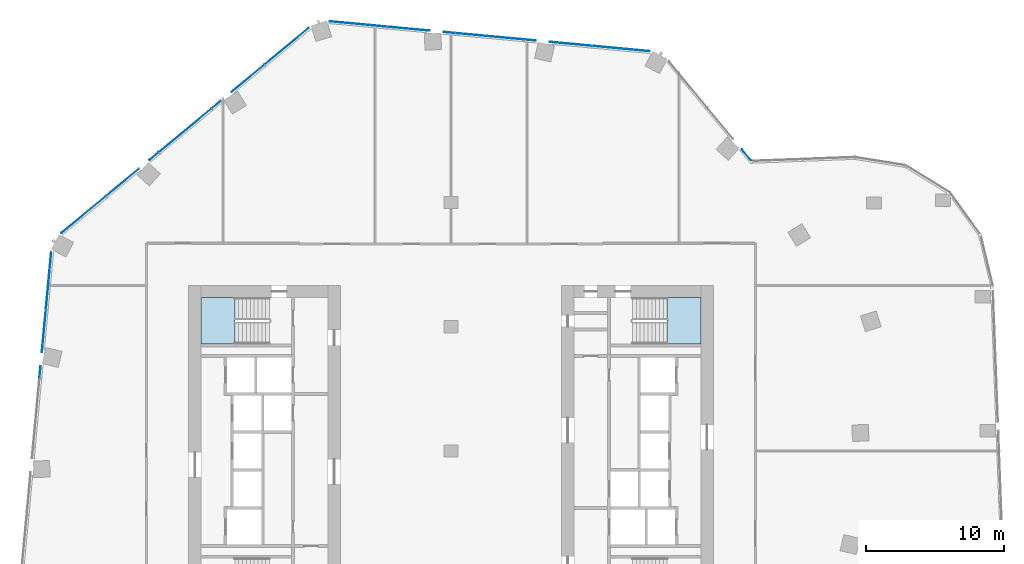
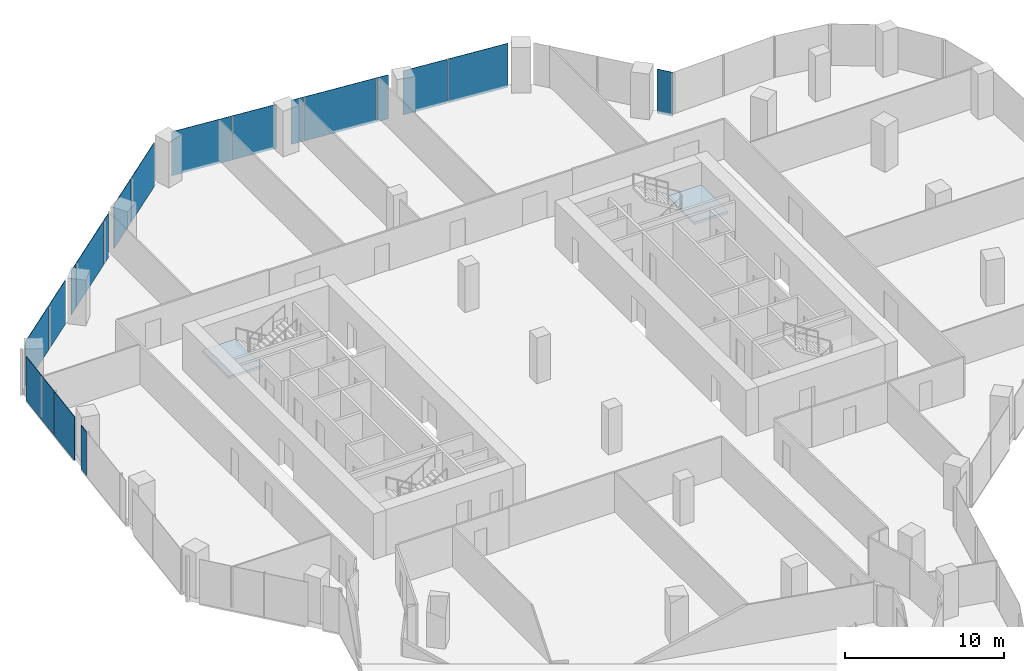
# One storey, part 16 of 24: 18 plates, 2 slabs, 6 elements without a shape of their own.
"""IFC4 building model written with IfcOpenShell, lengths in metres."""

from ifc_helpers import new_model, si_unit, direction, frame, origin, origin_2d, place, context, subcontext, project, spatial, polyline, rectangle, outline, extrude, material, layer, layer_set, type_object, element, aggregate, save


model = new_model("IFC4")

# Units and contexts
model_context = context("Model", 3, precision=1e-05, world=origin(), true_north=direction((0.0, 1.0)))
body_context = subcontext(model_context, "Body", "Model", "MODEL_VIEW")
ifc_project = project(units=[si_unit("LENGTHUNIT", "METRE"), si_unit("AREAUNIT", "SQUARE_METRE"), si_unit("VOLUMEUNIT", "CUBIC_METRE"), si_unit("PLANEANGLEUNIT", "RADIAN"), si_unit("MASSUNIT", "GRAM", prefix="KILO")], contexts=[model_context])

# Site, building, storey
site_placement = place(None, origin())
site = spatial("IfcSite", under=ifc_project, at=site_placement, CompositionType="ELEMENT")
building_placement = place(site_placement, origin())
building = spatial("IfcBuilding", under=site, at=building_placement, Name="Orlundy Tower", CompositionType="ELEMENT")
storey_placement = place(building_placement, frame((0.0, 0.0, 170.60009765625)))
storey = spatial("IfcBuildingStorey", under=building, at=storey_placement, Name="L44", CompositionType="ELEMENT", Elevation=170.60009765625)

# Curtain wall, plates
ifc_material_1 = material(Name="Aluminium bronze anodised", Category="aluminium")
curtain_wall_type = type_object("IfcCurtainWallType", Name="CW1 wall", PredefinedType="NOTDEFINED", material=ifc_material_1)
curtain_wall_1_placement = place(storey_placement, origin())
curtain_wall_1 = element("IfcCurtainWall", 1, at=curtain_wall_1_placement, inside=storey, type_object=curtain_wall_type, Name="CW1 run 02", PredefinedType="NOTDEFINED")
ifc_material_2 = material(Name="Tinted glass", Category="glass")
ifc_layer_1 = layer(ifc_material_2, 0.031982421875)
ifc_layer_set_1 = layer_set([ifc_layer_1], Name="CW1 glass panel 32")
plate_type = type_object("IfcPlateType", Name="CW1 glass panel 32", PredefinedType="CURTAIN_PANEL", material=ifc_layer_set_1)
plate_1_placement = place(storey_placement, frame((-29.7607421875, 5.724609375, -0.300048828125), z_axis=(0.0, 0.0, 1.0), x_axis=(0.092948066811, 0.995670958136, 0.0)))
plate_1 = element("IfcPlate", 2, at=plate_1_placement, type_object=plate_type, Name="CW1 panel", PredefinedType="CURTAIN_PANEL", context=body_context, shape_type="SweptSolid", body=[
    extrude(rectangle(XDim=0.846435546875, YDim=0.031982421875, at=origin_2d()), origin(), (0.0, 0.0, 1.0), 3.3798828125),
])
plate_2_placement = place(storey_placement, frame((-29.48486328125, 8.6796875, -0.300048828125), z_axis=(0.0, 0.0, 1.0), x_axis=(0.092948066811, 0.995670958136, 0.0)))
plate_2 = element("IfcPlate", 3, at=plate_2_placement, type_object=plate_type, Name="CW1 panel", PredefinedType="CURTAIN_PANEL", context=body_context, shape_type="SweptSolid", body=[
    extrude(rectangle(XDim=3.05859375, YDim=0.031982421875, at=origin_2d()), origin(), (0.0, 0.0, 1.0), 3.3798828125),
])
plate_3_placement = place(storey_placement, frame((-29.145263671875, 12.31689453125, -0.300048828125), z_axis=(0.0, 0.0, 1.0), x_axis=(0.092948066811, 0.995670958136, 0.0)))
plate_3 = element("IfcPlate", 4, at=plate_3_placement, type_object=plate_type, Name="CW1 panel", PredefinedType="CURTAIN_PANEL", context=body_context, shape_type="SweptSolid", body=[
    extrude(rectangle(XDim=4.147705078125, YDim=0.031982421875, at=origin_2d()), origin(), (0.0, 0.0, 1.0), 3.3798828125),
])
aggregate(curtain_wall_1, [plate_1, plate_2, plate_3])

curtain_wall_2_placement = place(storey_placement, origin())
curtain_wall_2 = element("IfcCurtainWall", 5, at=curtain_wall_2_placement, inside=storey, type_object=curtain_wall_type, Name="CW1 run 03", PredefinedType="NOTDEFINED")
plate_4_placement = place(storey_placement, frame((-26.609130859375, 17.120361328125, -0.300048828125), z_axis=(0.0, 0.0, 1.0), x_axis=(0.769772426769, 0.638318424445, 0.0)))
plate_4 = element("IfcPlate", 6, at=plate_4_placement, type_object=plate_type, Name="CW1 panel", PredefinedType="CURTAIN_PANEL", context=body_context, shape_type="SweptSolid", body=[
    extrude(rectangle(XDim=4.1474609375, YDim=0.031982421875, at=origin_2d()), origin(), (0.0, 0.0, 1.0), 3.3798828125),
])
plate_5_placement = place(storey_placement, frame((-23.797607421875, 19.45166015625, -0.300048828125), z_axis=(0.0, 0.0, 1.0), x_axis=(0.769772426769, 0.638318424445, 0.0)))
plate_5 = element("IfcPlate", 7, at=plate_5_placement, type_object=plate_type, Name="CW1 panel", PredefinedType="CURTAIN_PANEL", context=body_context, shape_type="SweptSolid", body=[
    extrude(rectangle(XDim=3.05712890625, YDim=0.031982421875, at=origin_2d()), origin(), (0.0, 0.0, 1.0), 3.3798828125),
])
plate_6_placement = place(storey_placement, frame((-21.512451171875, 21.3466796875, -0.300048828125), z_axis=(0.0, 0.0, 1.0), x_axis=(0.769772426769, 0.638318424445, 0.0)))
plate_6 = element("IfcPlate", 8, at=plate_6_placement, type_object=plate_type, Name="CW1 panel", PredefinedType="CURTAIN_PANEL", context=body_context, shape_type="SweptSolid", body=[
    extrude(rectangle(XDim=0.8466796875, YDim=0.031982421875, at=origin_2d()), origin(), (0.0, 0.0, 1.0), 3.3798828125),
])
plate_7_placement = place(storey_placement, frame((-19.254150390625, 23.21923828125, -0.300048828125), z_axis=(0.0, 0.0, 1.0), x_axis=(0.769772426769, 0.638318424445, 0.0)))
plate_7 = element("IfcPlate", 9, at=plate_7_placement, type_object=plate_type, Name="CW1 panel", PredefinedType="CURTAIN_PANEL", context=body_context, shape_type="SweptSolid", body=[
    extrude(rectangle(XDim=4.920654296875, YDim=0.031982421875, at=origin_2d()), origin(), (0.0, 0.0, 1.0), 3.3798828125),
])
plate_8_placement = place(storey_placement, frame((-16.99609375, 25.091796875, -0.300048828125), z_axis=(0.0, 0.0, 1.0), x_axis=(0.769772426769, 0.638318424445, 0.0)))
plate_8 = element("IfcPlate", 10, at=plate_8_placement, type_object=plate_type, Name="CW1 panel", PredefinedType="CURTAIN_PANEL", context=body_context, shape_type="SweptSolid", body=[
    extrude(rectangle(XDim=0.8466796875, YDim=0.031982421875, at=origin_2d()), origin(), (0.0, 0.0, 1.0), 3.3798828125),
])
plate_9_placement = place(storey_placement, frame((-14.71044921875, 26.987060546875, -0.300048828125), z_axis=(0.0, 0.0, 1.0), x_axis=(0.769772426769, 0.638318424445, 0.0)))
plate_9 = element("IfcPlate", 11, at=plate_9_placement, type_object=plate_type, Name="CW1 panel", PredefinedType="CURTAIN_PANEL", context=body_context, shape_type="SweptSolid", body=[
    extrude(rectangle(XDim=3.056640625, YDim=0.031982421875, at=origin_2d()), origin(), (0.0, 0.0, 1.0), 3.3798828125),
])
plate_10_placement = place(storey_placement, frame((-11.899169921875, 29.318359375, -0.300048828125), z_axis=(0.0, 0.0, 1.0), x_axis=(0.769772426769, 0.638318424445, 0.0)))
plate_10 = element("IfcPlate", 12, at=plate_10_placement, type_object=plate_type, Name="CW1 panel", PredefinedType="CURTAIN_PANEL", context=body_context, shape_type="SweptSolid", body=[
    extrude(rectangle(XDim=4.148193359375, YDim=0.031982421875, at=origin_2d()), origin(), (0.0, 0.0, 1.0), 3.3798828125),
])
aggregate(curtain_wall_2, [plate_4, plate_5, plate_6, plate_7, plate_8, plate_9, plate_10])

curtain_wall_3_placement = place(storey_placement, origin())
curtain_wall_3 = element("IfcCurtainWall", 13, at=curtain_wall_3_placement, inside=storey, type_object=curtain_wall_type, Name="CW1 run 04", PredefinedType="NOTDEFINED")
plate_11_placement = place(storey_placement, frame((-6.709228515625, 30.92138671875, -0.300048828125), z_axis=(0.0, 0.0, 1.0), x_axis=(0.995670958136, -0.092948066811, 0.0)))
plate_11 = element("IfcPlate", 14, at=plate_11_placement, type_object=plate_type, Name="CW1 panel", PredefinedType="CURTAIN_PANEL", context=body_context, shape_type="SweptSolid", body=[
    extrude(rectangle(XDim=4.14697265625, YDim=0.031982421875, at=origin_2d()), origin(), (0.0, 0.0, 1.0), 3.3798828125),
])
plate_12_placement = place(storey_placement, frame((-3.073974609375, 30.58203125, -0.300048828125), z_axis=(0.0, 0.0, 1.0), x_axis=(0.995670958136, -0.092948066811, 0.0)))
plate_12 = element("IfcPlate", 15, at=plate_12_placement, type_object=plate_type, Name="CW1 panel", PredefinedType="CURTAIN_PANEL", context=body_context, shape_type="SweptSolid", body=[
    extrude(rectangle(XDim=3.05517578125, YDim=0.031982421875, at=origin_2d()), origin(), (0.0, 0.0, 1.0), 3.3798828125),
])
plate_13_placement = place(storey_placement, frame((-0.1171875, 30.305908203125, -0.300048828125), z_axis=(0.0, 0.0, 1.0), x_axis=(0.995670958136, -0.092948066811, 0.0)))
plate_13 = element("IfcPlate", 16, at=plate_13_placement, type_object=plate_type, Name="CW1 panel", PredefinedType="CURTAIN_PANEL", context=body_context, shape_type="SweptSolid", body=[
    extrude(rectangle(XDim=0.846923828125, YDim=0.031982421875, at=origin_2d()), origin(), (0.0, 0.0, 1.0), 3.3798828125),
])
plate_14_placement = place(storey_placement, frame((2.8037109375, 30.033203125, -0.300048828125), z_axis=(0.0, 0.0, 1.0), x_axis=(0.995670958136, -0.092948066811, 0.0)))
plate_14 = element("IfcPlate", 17, at=plate_14_placement, type_object=plate_type, Name="CW1 panel", PredefinedType="CURTAIN_PANEL", context=body_context, shape_type="SweptSolid", body=[
    extrude(rectangle(XDim=4.92041015625, YDim=0.031982421875, at=origin_2d()), origin(), (0.0, 0.0, 1.0), 3.3798828125),
])
plate_15_placement = place(storey_placement, frame((5.724609375, 29.7607421875, -0.300048828125), z_axis=(0.0, 0.0, 1.0), x_axis=(0.995670958136, -0.092948066811, 0.0)))
plate_15 = element("IfcPlate", 18, at=plate_15_placement, type_object=plate_type, Name="CW1 panel", PredefinedType="CURTAIN_PANEL", context=body_context, shape_type="SweptSolid", body=[
    extrude(rectangle(XDim=0.846435546875, YDim=0.031982421875, at=origin_2d()), origin(), (0.0, 0.0, 1.0), 3.3798828125),
])
plate_16_placement = place(storey_placement, frame((8.6796875, 29.48486328125, -0.300048828125), z_axis=(0.0, 0.0, 1.0), x_axis=(0.995670958136, -0.092948066811, 0.0)))
plate_16 = element("IfcPlate", 19, at=plate_16_placement, type_object=plate_type, Name="CW1 panel", PredefinedType="CURTAIN_PANEL", context=body_context, shape_type="SweptSolid", body=[
    extrude(rectangle(XDim=3.05859375, YDim=0.031982421875, at=origin_2d()), origin(), (0.0, 0.0, 1.0), 3.3798828125),
])
plate_17_placement = place(storey_placement, frame((12.31689453125, 29.145263671875, -0.300048828125), z_axis=(0.0, 0.0, 1.0), x_axis=(0.995670958136, -0.092948066811, 0.0)))
plate_17 = element("IfcPlate", 20, at=plate_17_placement, type_object=plate_type, Name="CW1 panel", PredefinedType="CURTAIN_PANEL", context=body_context, shape_type="SweptSolid", body=[
    extrude(rectangle(XDim=4.147705078125, YDim=0.031982421875, at=origin_2d()), origin(), (0.0, 0.0, 1.0), 3.3798828125),
])
aggregate(curtain_wall_3, [plate_11, plate_12, plate_13, plate_14, plate_15, plate_16, plate_17])

# Curtain wall, plate
curtain_wall_4_placement = place(storey_placement, origin())
curtain_wall_4 = element("IfcCurtainWall", 21, at=curtain_wall_4_placement, inside=storey, type_object=curtain_wall_type, Name="CW1 run 05", PredefinedType="NOTDEFINED")
plate_18_placement = place(storey_placement, frame((21.4228515625, 21.420166015625, -0.300048828125), z_axis=(0.0, 0.0, 1.0), x_axis=(0.638299162368, -0.769788399055, 0.0)))
plate_18 = element("IfcPlate", 22, at=plate_18_placement, type_object=plate_type, Name="CW1 panel", PredefinedType="CURTAIN_PANEL", context=body_context, shape_type="SweptSolid", body=[
    extrude(rectangle(XDim=1.08642578125, YDim=0.031982421875, at=origin_2d()), origin(), (0.0, 0.0, 1.0), 3.3798828125),
])
aggregate(curtain_wall_4, [plate_18])

# Stair, slab
ifc_material_3 = material(Name="Concrete C50/60", Category="concrete")
stair_type = type_object("IfcStairType", Name="Exit Stair 20 risers", PredefinedType="HALF_TURN_STAIR", material=ifc_material_3)
stair_1_placement = place(storey_placement, origin())
stair_1 = element("IfcStair", 23, at=stair_1_placement, inside=storey, type_object=stair_type, Name="L44 Exit Stair ST-W1", PredefinedType="HALF_TURN_STAIR")
ifc_material_4 = material(Name="Concrete C50/60", Category="concrete")
ifc_layer_2 = layer(ifc_material_4, 0.199951171875)
ifc_layer_set_2 = layer_set([ifc_layer_2], Name="Exit Stair Landing")
slab_type = type_object("IfcSlabType", Name="Exit Stair Landing", PredefinedType="LANDING", material=ifc_layer_set_2)
slab_1_placement = place(storey_placement, frame((0.0, 0.0, 1.5498046875)))
slab_1 = element("IfcSlab", 24, at=slab_1_placement, type_object=slab_type, Name="ST-W1 landing 1", PredefinedType="LANDING", context=body_context, shape_type="SweptSolid", body=[
    extrude(outline(polyline([(-15.659912109375, 11.10009765625), (-18.10009765625, 11.10009765625), (-18.10009765625, 7.75), (-15.659912109375, 7.75), (-15.659912109375, 11.10009765625)])), origin(), (0.0, 0.0, 1.0), 0.2001953125),
])
aggregate(stair_1, [slab_1])

stair_2_placement = place(storey_placement, origin())
stair_2 = element("IfcStair", 25, at=stair_2_placement, inside=storey, type_object=stair_type, Name="L44 Exit Stair ST-E2", PredefinedType="HALF_TURN_STAIR")
slab_2_placement = place(storey_placement, frame((0.0, 0.0, 1.5498046875)))
slab_2 = element("IfcSlab", 26, at=slab_2_placement, type_object=slab_type, Name="ST-E2 landing 1", PredefinedType="LANDING", context=body_context, shape_type="SweptSolid", body=[
    extrude(outline(polyline([(15.659912109375, 7.75), (18.10009765625, 7.75), (18.10009765625, 11.10009765625), (15.659912109375, 11.10009765625), (15.659912109375, 7.75)])), origin(), (0.0, 0.0, 1.0), 0.2001953125),
])
aggregate(stair_2, [slab_2])

save(model, "model.ifc")
